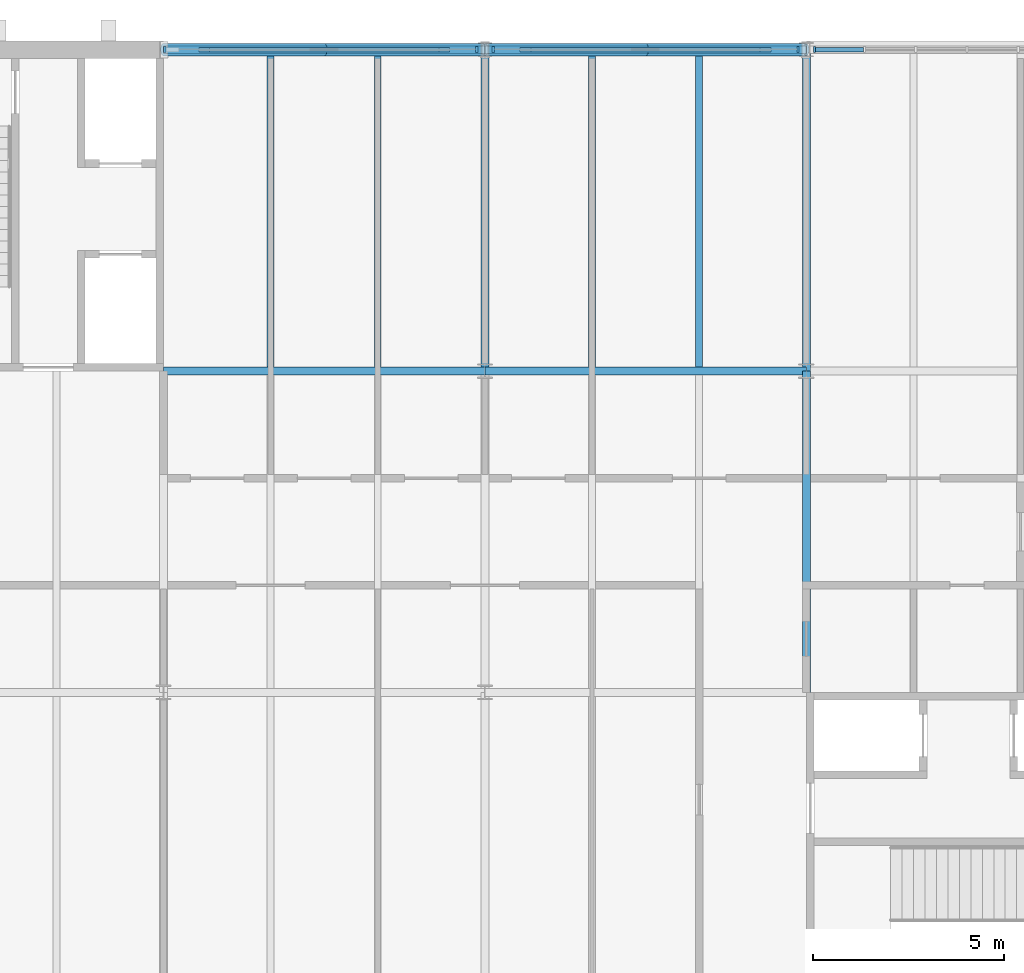
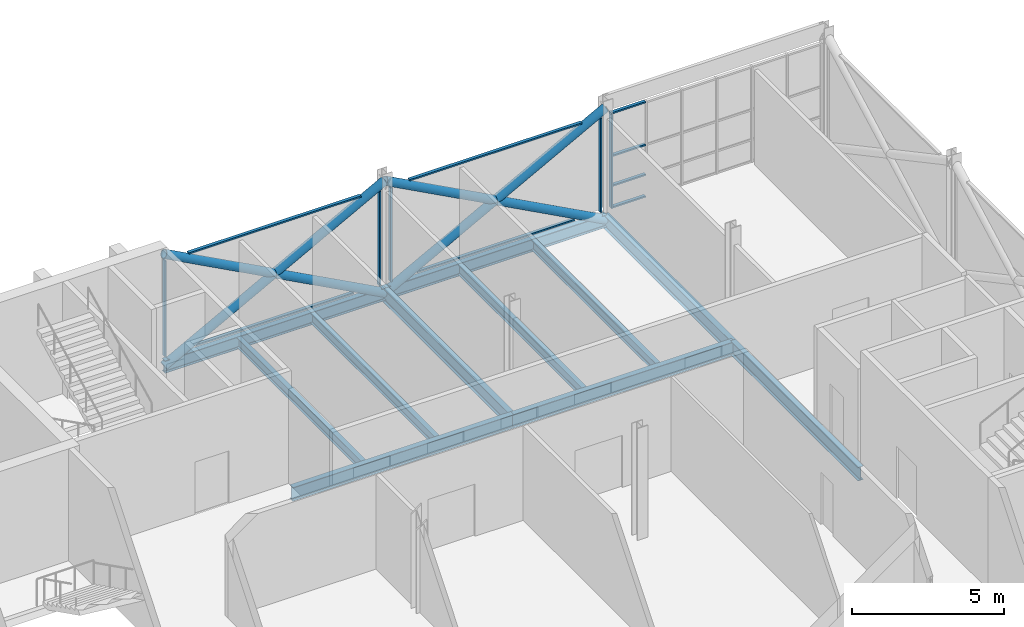
# One storey, part 55 of 129: 19 members, 11 beams, 3 elements without a shape of their own.
"""IFC4 building model written with IfcOpenShell, lengths in metres."""

from ifc_helpers import new_model, si_unit, direction, frame, origin, origin_2d, place, context, subcontext, project, spatial, rectangle, hollow_circle, i_section, extrude, material, layer, layer_set, material_profile, profile_set, type_object, element, aggregate, save


model = new_model("IFC4")

# Units and contexts
model_context = context("Model", 3, precision=1e-05, world=origin(), true_north=direction((0.0, 1.0)))
body_context = subcontext(model_context, "Body", "Model", "MODEL_VIEW")
ifc_project = project(units=[si_unit("LENGTHUNIT", "METRE"), si_unit("AREAUNIT", "SQUARE_METRE"), si_unit("VOLUMEUNIT", "CUBIC_METRE"), si_unit("PLANEANGLEUNIT", "RADIAN"), si_unit("MASSUNIT", "GRAM", prefix="KILO")], contexts=[model_context])

# Site, building, storey
site_placement = place(None, origin())
site = spatial("IfcSite", under=ifc_project, at=site_placement, CompositionType="ELEMENT")
building_placement = place(site_placement, origin())
building = spatial("IfcBuilding", under=site, at=building_placement, Name="Ardhachandra Cancer Care Centre", CompositionType="ELEMENT")
storey_placement = place(building_placement, frame((0.0, 0.0, 4.5)))
storey = spatial("IfcBuildingStorey", under=building, at=storey_placement, Name="L01", CompositionType="ELEMENT", Elevation=4.5)

# Beams
ifc_material_1 = material(Name="Steel E350 (IS 2062)", Category="steel")
ifc_material_profile_1 = material_profile(ifc_material_1, i_section(OverallWidth=0.179931640625, OverallDepth=0.39990234375, WebThickness=0.008544921875, FlangeThickness=0.013427734375, FilletRadius=0.02099609375, at=origin_2d()), Name="NPB 400x180x66.30")
ifc_profile_set_1 = profile_set([ifc_material_profile_1], Name="Steel E350 (IS 2062)")
beam_type_1 = type_object("IfcBeamType", Name="Beam NPB 400x180x66.30", PredefinedType="BEAM", material=ifc_profile_set_1)
for number, where, z_axis, x_axis, name in (
    (1, (122.800048828125, 96.705078125, -0.35009765625), (0.0, 1.0, 0.0), (-1.0, 0.0, 0.0), "Secondary L14-M14@2800"),
    (2, (125.60009765625, 96.705078125, -0.35009765625), (0.0, 1.0, 0.0), (-1.0, 0.0, 0.0), "Secondary L14-M14@5600"),
    (3, (131.199951171875, 96.705078125, -0.35009765625), (0.0, 1.0, 0.0), (-1.0, 0.0, 0.0), "Secondary L15-M15@2800"),
    (4, (134.0, 96.705078125, -0.35009765625), (0.0, 1.0, 0.0), (-1.0, 0.0, 0.0), "Secondary L15-M15@5600"),
):
    element("IfcBeam", number, at=place(storey_placement, frame(where, z_axis=z_axis, x_axis=x_axis)), inside=storey, type_object=beam_type_1, Name=name, PredefinedType="BEAM", context=body_context, shape_type="SweptSolid", body=[
        extrude(i_section(OverallWidth=0.179931640625, OverallDepth=0.39990234375, WebThickness=0.008544921875, FlangeThickness=0.013427734375, FilletRadius=0.02099609375, at=origin_2d()), origin(), (0.0, 0.0, 1.0), 8.19482421875),
    ])
ifc_material_2 = material(Name="Steel E350 (IS 2062)", Category="steel")
ifc_material_profile_2 = material_profile(ifc_material_2, i_section(OverallWidth=0.199951171875, OverallDepth=0.5, WebThickness=0.01025390625, FlangeThickness=0.01611328125, FilletRadius=0.02099609375, at=origin_2d()), Name="NPB 500x200x90.68")
ifc_profile_set_2 = profile_set([ifc_material_profile_2], Name="Steel E350 (IS 2062)")
beam_type_2 = type_object("IfcBeamType", Name="Beam NPB 500x200x90.68", PredefinedType="BEAM", material=ifc_profile_set_2)
beam_1_placement = place(storey_placement, frame((120.0, 105.0, -0.39990234375), z_axis=(1.0, 0.0, 0.0), x_axis=(0.0, 1.0, 0.0)))
element("IfcBeam", 5, at=beam_1_placement, inside=storey, type_object=beam_type_2, Name="Edge girder M14-M15", PredefinedType="BEAM", context=body_context, shape_type="SweptSolid", body=[
    extrude(i_section(OverallWidth=0.199951171875, OverallDepth=0.5, WebThickness=0.01025390625, FlangeThickness=0.01611328125, FilletRadius=0.02099609375, at=origin_2d()), origin(), (0.0, 0.0, 1.0), 8.39990234375),
])
beam_2_placement = place(storey_placement, frame((128.39990234375, 105.0, -0.39990234375), z_axis=(1.0, 0.0, 0.0), x_axis=(0.0, 1.0, 0.0)))
element("IfcBeam", 6, at=beam_2_placement, inside=storey, type_object=beam_type_2, Name="Edge girder M15-M16", PredefinedType="BEAM", context=body_context, shape_type="SweptSolid", body=[
    extrude(i_section(OverallWidth=0.199951171875, OverallDepth=0.5, WebThickness=0.01025390625, FlangeThickness=0.01611328125, FilletRadius=0.02099609375, at=origin_2d()), origin(), (0.0, 0.0, 1.0), 8.400146484375),
])
ifc_material_3 = material(Name="Steel E350 (IS 2062)", Category="steel")
ifc_material_profile_3 = material_profile(ifc_material_3, i_section(OverallWidth=0.2099609375, OverallDepth=0.550048828125, WebThickness=0.010986328125, FlangeThickness=0.01708984375, FilletRadius=0.02392578125, at=origin_2d()), Name="NPB 550x210x105.52")
ifc_profile_set_3 = profile_set([ifc_material_profile_3], Name="Steel E350 (IS 2062)")
beam_type_3 = type_object("IfcBeamType", Name="Beam NPB 550x210x105.52", PredefinedType="BEAM", material=ifc_profile_set_3)
beam_3_placement = place(storey_placement, frame((120.0, 96.60009765625, -0.425048828125), z_axis=(1.0, 0.0, 0.0), x_axis=(0.0, 1.0, 0.0)))
element("IfcBeam", 7, at=beam_3_placement, inside=storey, type_object=beam_type_3, Name="Girder L14-L15", PredefinedType="BEAM", context=body_context, shape_type="SweptSolid", body=[
    extrude(i_section(OverallWidth=0.2099609375, OverallDepth=0.550048828125, WebThickness=0.010986328125, FlangeThickness=0.01708984375, FilletRadius=0.02392578125, at=origin_2d()), origin(), (0.0, 0.0, 1.0), 8.39990234375),
])
beam_4_placement = place(storey_placement, frame((128.39990234375, 96.60009765625, -0.425048828125), z_axis=(1.0, 0.0, 0.0), x_axis=(0.0, 1.0, 0.0)))
element("IfcBeam", 8, at=beam_4_placement, inside=storey, type_object=beam_type_3, Name="Girder L15-L16", PredefinedType="BEAM", context=body_context, shape_type="SweptSolid", body=[
    extrude(i_section(OverallWidth=0.2099609375, OverallDepth=0.550048828125, WebThickness=0.010986328125, FlangeThickness=0.01708984375, FilletRadius=0.02392578125, at=origin_2d()), origin(), (0.0, 0.0, 1.0), 8.400146484375),
])
beam_5_placement = place(storey_placement, frame((128.39990234375, 96.60009765625, -0.425048828125), z_axis=(0.0, 1.0, 0.0), x_axis=(-1.0, 0.0, 0.0)))
element("IfcBeam", 9, at=beam_5_placement, inside=storey, type_object=beam_type_3, Name="Girder L15-M15", PredefinedType="BEAM", context=body_context, shape_type="SweptSolid", body=[
    extrude(i_section(OverallWidth=0.2099609375, OverallDepth=0.550048828125, WebThickness=0.010986328125, FlangeThickness=0.01708984375, FilletRadius=0.02392578125, at=origin_2d()), origin(), (0.0, 0.0, 1.0), 8.39990234375),
])
beam_6_placement = place(storey_placement, frame((136.800048828125, 88.199951171875, -0.425048828125), z_axis=(0.0, 1.0, 0.0), x_axis=(-1.0, 0.0, 0.0)))
element("IfcBeam", 10, at=beam_6_placement, inside=storey, type_object=beam_type_3, Name="Girder K16-L16", PredefinedType="BEAM", context=body_context, shape_type="SweptSolid", body=[
    extrude(i_section(OverallWidth=0.2099609375, OverallDepth=0.550048828125, WebThickness=0.010986328125, FlangeThickness=0.01708984375, FilletRadius=0.02392578125, at=origin_2d()), origin(), (0.0, 0.0, 1.0), 8.400146484375),
])
beam_7_placement = place(storey_placement, frame((136.800048828125, 96.60009765625, -0.425048828125), z_axis=(0.0, 1.0, 0.0), x_axis=(-1.0, 0.0, 0.0)))
element("IfcBeam", 11, at=beam_7_placement, inside=storey, type_object=beam_type_3, Name="Girder L16-M16", PredefinedType="BEAM", context=body_context, shape_type="SweptSolid", body=[
    extrude(i_section(OverallWidth=0.2099609375, OverallDepth=0.550048828125, WebThickness=0.010986328125, FlangeThickness=0.01708984375, FilletRadius=0.02392578125, at=origin_2d()), origin(), (0.0, 0.0, 1.0), 8.39990234375),
])

# Members
ifc_material_4 = material(Name="Steel E350 (IS 2062)", Category="steel")
ifc_material_profile_4 = material_profile(ifc_material_4, hollow_circle(Radius=0.161865234375, WallThickness=0.012451171875, at=origin_2d()), Name="CHS 323.9x12.5")
ifc_profile_set_4 = profile_set([ifc_material_profile_4], Name="Steel E350 (IS 2062)")
member_type_1 = type_object("IfcMemberType", Name="Brace CHS 323.9x12.5", PredefinedType="BRACE", material=ifc_profile_set_4)
member_1_placement = place(storey_placement, frame((120.0, 105.0, -0.39990234375), z_axis=(0.881477684796, 0.0, 0.472225678258), x_axis=(0.0, 1.0, 0.0)))
element("IfcMember", 12, at=member_1_placement, inside=storey, type_object=member_type_1, Name="Brace V5-X1050-1200 L01 A", PredefinedType="BRACE", context=body_context, shape_type="SweptSolid", body=[
    extrude(hollow_circle(Radius=0.161865234375, WallThickness=0.012451171875, at=origin_2d()), origin(), (0.0, 0.0, 1.0), 9.529296875),
])
for number, where, z_axis, x_axis, name in (
    (13, (128.39990234375, 105.0, -0.39990234375), (-0.881477684796, 0.0, 0.472225678258), (0.0, -1.0, 0.0), "Brace V5-X1050-1200 L01 B1"),
    (14, (124.199951171875, 105.0, 1.85009765625), (-0.881477684796, 0.0, 0.472225678258), (0.0, -1.0, 0.0), "Brace V5-X1050-1200 L01 B2"),
):
    element("IfcMember", number, at=place(storey_placement, frame(where, z_axis=z_axis, x_axis=x_axis)), inside=storey, type_object=member_type_1, Name=name, PredefinedType="BRACE", context=body_context, shape_type="SweptSolid", body=[
        extrude(hollow_circle(Radius=0.161865234375, WallThickness=0.012451171875, at=origin_2d()), origin(), (0.0, 0.0, 1.0), 4.7646484375),
    ])
member_2_placement = place(storey_placement, frame((128.39990234375, 105.0, -0.39990234375), z_axis=(0.881483397762, 0.0, 0.472215014025), x_axis=(0.0, 1.0, 0.0)))
element("IfcMember", 15, at=member_2_placement, inside=storey, type_object=member_type_1, Name="Brace V5-X1050-1284 L01 A", PredefinedType="BRACE", context=body_context, shape_type="SweptSolid", body=[
    extrude(hollow_circle(Radius=0.161865234375, WallThickness=0.012451171875, at=origin_2d()), origin(), (0.0, 0.0, 1.0), 9.529541015625),
])
member_3_placement = place(storey_placement, frame((136.800048828125, 105.0, -0.39990234375), z_axis=(-0.881477684796, 0.0, 0.472225678258), x_axis=(0.0, -1.0, 0.0)))
element("IfcMember", 16, at=member_3_placement, inside=storey, type_object=member_type_1, Name="Brace V5-X1050-1284 L01 B1", PredefinedType="BRACE", context=body_context, shape_type="SweptSolid", body=[
    extrude(hollow_circle(Radius=0.161865234375, WallThickness=0.012451171875, at=origin_2d()), origin(), (0.0, 0.0, 1.0), 4.7646484375),
])
member_4_placement = place(storey_placement, frame((132.60009765625, 105.0, 1.85009765625), z_axis=(-0.881489110341, 0.0, 0.472204350203), x_axis=(0.0, -1.0, 0.0)))
element("IfcMember", 17, at=member_4_placement, inside=storey, type_object=member_type_1, Name="Brace V5-X1050-1284 L01 B2", PredefinedType="BRACE", context=body_context, shape_type="SweptSolid", body=[
    extrude(hollow_circle(Radius=0.161865234375, WallThickness=0.012451171875, at=origin_2d()), origin(), (0.0, 0.0, 1.0), 4.764892578125),
])

# Curtain wall, members
ifc_material_5 = material(Name="Aluminium extrusion", Category="aluminium")
ifc_layer = layer(ifc_material_5, 0.14990234375)
ifc_layer_set = layer_set([ifc_layer], Name="Aluminium extrusion")
curtain_wall_type = type_object("IfcCurtainWallType", Name="Curtain wall run", PredefinedType="NOTDEFINED", material=ifc_layer_set)
curtain_wall_1_placement = place(storey_placement, origin())
curtain_wall_1 = element("IfcCurtainWall", 18, at=curtain_wall_1_placement, inside=storey, type_object=curtain_wall_type, Name="Curtain wall L01 n/0120000_0105000", PredefinedType="NOTDEFINED")
ifc_material_6 = material(Name="Aluminium extrusion", Category="aluminium")
ifc_material_profile_5 = material_profile(ifc_material_6, rectangle(XDim=0.159912109375, YDim=0.06005859375, at=origin_2d()), Name="Curtain wall mullion 60 x 160")
ifc_profile_set_5 = profile_set([ifc_material_profile_5], Name="Aluminium extrusion")
member_type_2 = type_object("IfcMemberType", Name="Curtain wall mullion 60 x 160", PredefinedType="MULLION", material=ifc_profile_set_5)
member_5_placement = place(storey_placement, frame((120.030029296875, 105.0, 0.0), z_axis=(0.0, 0.0, 1.0), x_axis=(0.0, 1.0, 0.0)))
member_5 = element("IfcMember", 19, at=member_5_placement, type_object=member_type_2, Name="CW mullion 1", PredefinedType="MULLION", context=body_context, shape_type="SweptSolid", body=[
    extrude(rectangle(XDim=0.159912109375, YDim=0.06005859375, at=origin_2d()), origin(), (0.0, 0.0, 1.0), 3.85009765625),
])
member_6_placement = place(storey_placement, frame((128.1845703125, 105.0, 0.0), z_axis=(0.0, 0.0, 1.0), x_axis=(0.0, 1.0, 0.0)))
member_6 = element("IfcMember", 20, at=member_6_placement, type_object=member_type_2, Name="CW mullion 2", PredefinedType="MULLION", context=body_context, shape_type="SweptSolid", body=[
    extrude(rectangle(XDim=0.159912109375, YDim=0.06005859375, at=origin_2d()), origin(), (0.0, 0.0, 1.0), 3.78271484375),
])

curtain_wall_2_placement = place(storey_placement, origin())
curtain_wall_2 = element("IfcCurtainWall", 21, at=curtain_wall_2_placement, inside=storey, type_object=curtain_wall_type, Name="Curtain wall L01 n/0128400_0105000", PredefinedType="NOTDEFINED")
member_7_placement = place(storey_placement, frame((128.615478515625, 105.0, 0.0), z_axis=(0.0, 0.0, 1.0), x_axis=(0.0, 1.0, 0.0)))
member_7 = element("IfcMember", 22, at=member_7_placement, type_object=member_type_2, Name="CW mullion 1", PredefinedType="MULLION", context=body_context, shape_type="SweptSolid", body=[
    extrude(rectangle(XDim=0.159912109375, YDim=0.06005859375, at=origin_2d()), origin(), (0.0, 0.0, 1.0), 3.78271484375),
])
member_8_placement = place(storey_placement, frame((136.58447265625, 105.0, 0.0), z_axis=(0.0, 0.0, 1.0), x_axis=(0.0, 1.0, 0.0)))
member_8 = element("IfcMember", 23, at=member_8_placement, type_object=member_type_2, Name="CW mullion 2", PredefinedType="MULLION", context=body_context, shape_type="SweptSolid", body=[
    extrude(rectangle(XDim=0.159912109375, YDim=0.06005859375, at=origin_2d()), origin(), (0.0, 0.0, 1.0), 3.78271484375),
])

# Curtain wall, member
curtain_wall_3_placement = place(storey_placement, origin())
curtain_wall_3 = element("IfcCurtainWall", 24, at=curtain_wall_3_placement, inside=storey, type_object=curtain_wall_type, Name="Curtain wall L01 n/0136800_0105000", PredefinedType="NOTDEFINED")
member_9_placement = place(storey_placement, frame((137.015380859375, 105.0, 0.0), z_axis=(0.0, 0.0, 1.0), x_axis=(0.0, 1.0, 0.0)))
member_9 = element("IfcMember", 25, at=member_9_placement, type_object=member_type_2, Name="CW mullion 1", PredefinedType="MULLION", context=body_context, shape_type="SweptSolid", body=[
    extrude(rectangle(XDim=0.159912109375, YDim=0.06005859375, at=origin_2d()), origin(), (0.0, 0.0, 1.0), 3.85009765625),
])

# Member
ifc_material_7 = material(Name="Aluminium extrusion", Category="aluminium")
ifc_material_profile_6 = material_profile(ifc_material_7, rectangle(XDim=0.1201171875, YDim=0.06005859375, at=origin_2d()), Name="Curtain wall transom 60 x 120")
ifc_profile_set_6 = profile_set([ifc_material_profile_6], Name="Aluminium extrusion")
member_type_3 = type_object("IfcMemberType", Name="Curtain wall transom 60 x 120", PredefinedType="USERDEFINED", material=ifc_profile_set_6)
member_10_placement = place(storey_placement, frame((121.204833984375, 105.0, 0.030029296875), z_axis=(1.0, 0.0, 0.0), x_axis=(0.0, 1.0, 0.0)))
member_10 = element("IfcMember", 26, at=member_10_placement, type_object=member_type_3, Name="CW transom 1.1", ObjectType="TRANSOM", PredefinedType="USERDEFINED", context=body_context, shape_type="SweptSolid", body=[
    extrude(rectangle(XDim=0.1201171875, YDim=0.06005859375, at=origin_2d()), origin(), (0.0, 0.0, 1.0), 5.991455078125),
])

member_11_placement = place(storey_placement, frame((120.923828125, 105.0, 3.820068359375), z_axis=(1.0, 0.0, 0.0), x_axis=(0.0, 1.0, 0.0)))
member_11 = element("IfcMember", 27, at=member_11_placement, type_object=member_type_3, Name="CW transom 1.2", ObjectType="TRANSOM", PredefinedType="USERDEFINED", context=body_context, shape_type="SweptSolid", body=[
    extrude(rectangle(XDim=0.1201171875, YDim=0.06005859375, at=origin_2d()), origin(), (0.0, 0.0, 1.0), 6.552490234375),
])

aggregate(curtain_wall_1, [member_5, member_6, member_10, member_11])

member_12_placement = place(storey_placement, frame((129.604736328125, 105.0, 0.030029296875), z_axis=(1.0, 0.0, 0.0), x_axis=(0.0, 1.0, 0.0)))
member_12 = element("IfcMember", 28, at=member_12_placement, type_object=member_type_3, Name="CW transom 1.1", ObjectType="TRANSOM", PredefinedType="USERDEFINED", context=body_context, shape_type="SweptSolid", body=[
    extrude(rectangle(XDim=0.1201171875, YDim=0.06005859375, at=origin_2d()), origin(), (0.0, 0.0, 1.0), 5.991455078125),
])

member_13_placement = place(storey_placement, frame((129.32373046875, 105.0, 3.820068359375), z_axis=(1.0, 0.0, 0.0), x_axis=(0.0, 1.0, 0.0)))
member_13 = element("IfcMember", 29, at=member_13_placement, type_object=member_type_3, Name="CW transom 1.2", ObjectType="TRANSOM", PredefinedType="USERDEFINED", context=body_context, shape_type="SweptSolid", body=[
    extrude(rectangle(XDim=0.1201171875, YDim=0.06005859375, at=origin_2d()), origin(), (0.0, 0.0, 1.0), 6.552490234375),
])

aggregate(curtain_wall_2, [member_7, member_8, member_12, member_13])

member_14_placement = place(storey_placement, frame((137.04541015625, 105.0, 0.030029296875), z_axis=(1.0, 0.0, 0.0), x_axis=(0.0, 1.0, 0.0)))
member_14 = element("IfcMember", 30, at=member_14_placement, type_object=member_type_3, Name="CW transom 1.1", ObjectType="TRANSOM", PredefinedType="USERDEFINED", context=body_context, shape_type="SweptSolid", body=[
    extrude(rectangle(XDim=0.1201171875, YDim=0.06005859375, at=origin_2d()), origin(), (0.0, 0.0, 1.0), 1.248291015625),
])

member_15_placement = place(storey_placement, frame((137.04541015625, 105.0, 0.89990234375), z_axis=(1.0, 0.0, 0.0), x_axis=(0.0, 1.0, 0.0)))
member_15 = element("IfcMember", 31, at=member_15_placement, type_object=member_type_3, Name="CW transom 1.2", ObjectType="TRANSOM", PredefinedType="USERDEFINED", context=body_context, shape_type="SweptSolid", body=[
    extrude(rectangle(XDim=0.1201171875, YDim=0.06005859375, at=origin_2d()), origin(), (0.0, 0.0, 1.0), 1.248291015625),
])

member_16_placement = place(storey_placement, frame((137.04541015625, 105.0, 2.10009765625), z_axis=(1.0, 0.0, 0.0), x_axis=(0.0, 1.0, 0.0)))
member_16 = element("IfcMember", 32, at=member_16_placement, type_object=member_type_3, Name="CW transom 1.3", ObjectType="TRANSOM", PredefinedType="USERDEFINED", context=body_context, shape_type="SweptSolid", body=[
    extrude(rectangle(XDim=0.1201171875, YDim=0.06005859375, at=origin_2d()), origin(), (0.0, 0.0, 1.0), 1.248291015625),
])

member_17_placement = place(storey_placement, frame((137.04541015625, 105.0, 3.820068359375), z_axis=(1.0, 0.0, 0.0), x_axis=(0.0, 1.0, 0.0)))
member_17 = element("IfcMember", 33, at=member_17_placement, type_object=member_type_3, Name="CW transom 1.4", ObjectType="TRANSOM", PredefinedType="USERDEFINED", context=body_context, shape_type="SweptSolid", body=[
    extrude(rectangle(XDim=0.1201171875, YDim=0.06005859375, at=origin_2d()), origin(), (0.0, 0.0, 1.0), 1.248291015625),
])

aggregate(curtain_wall_3, [member_9, member_14, member_15, member_16, member_17])

save(model, "model.ifc")
